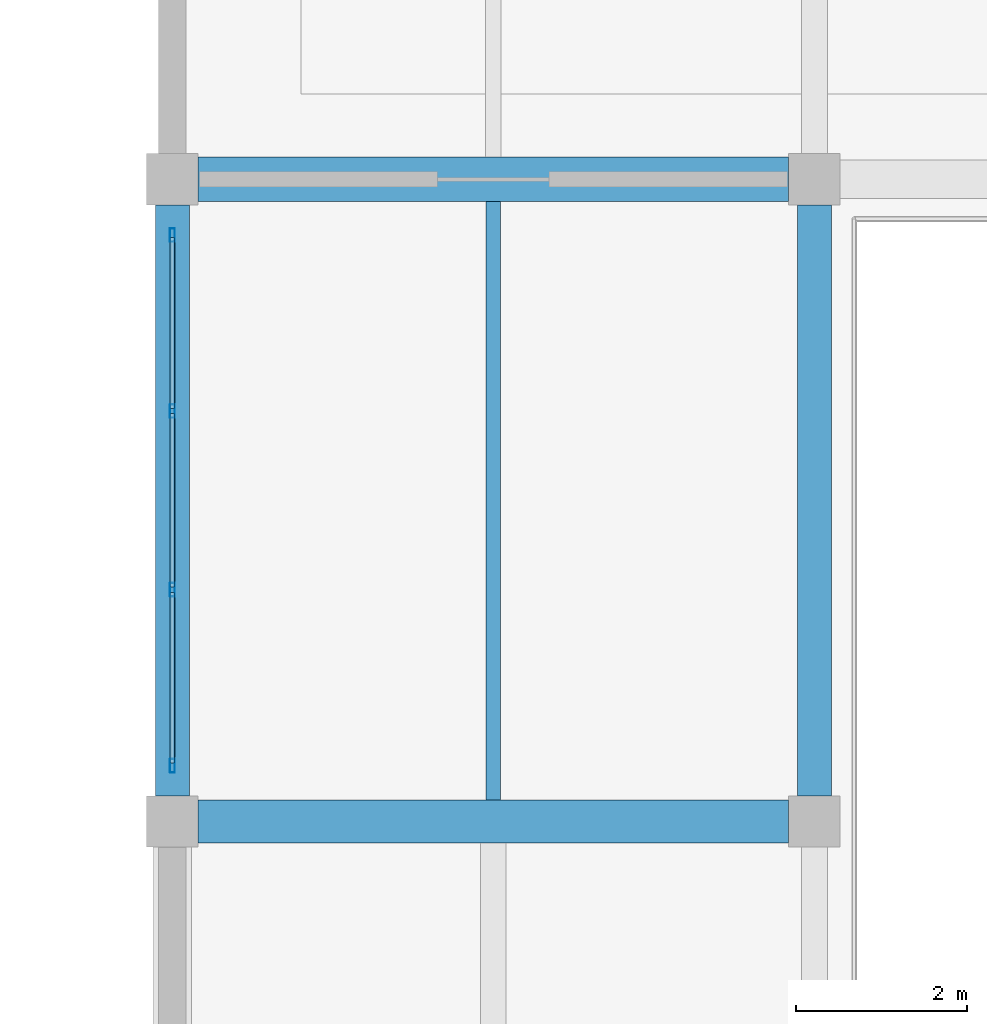
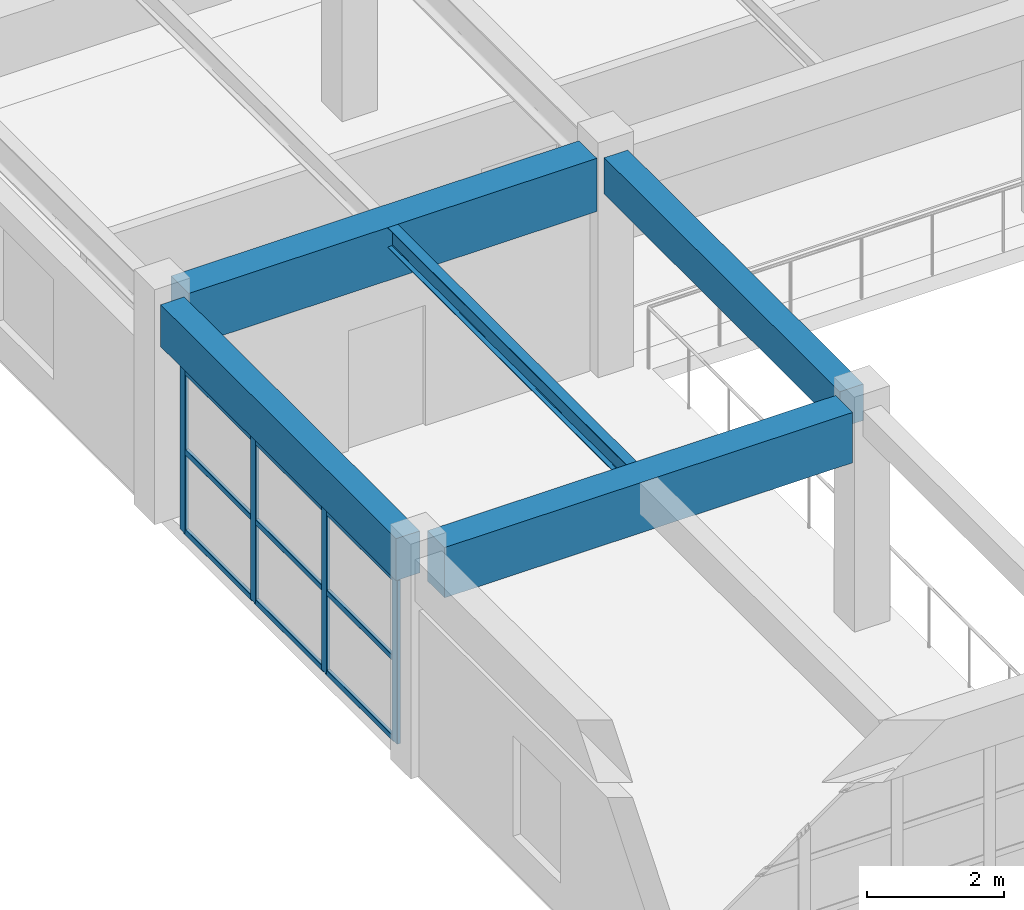
# One storey, part 55 of 124: 13 members, 5 beams, 1 element without a shape of its own.
"""IFC4 building model written with IfcOpenShell, lengths in metres."""

from ifc_helpers import new_model, si_unit, direction, frame, origin, origin_2d, place, context, subcontext, project, spatial, rectangle, hollow_rectangle, i_section, extrude, material, material_profile, profile_set, type_object, element, aggregate, save


model = new_model("IFC4")

# Units and contexts
model_context = context("Model", 3, precision=1e-05, world=origin(), true_north=direction((0.0, 1.0)))
body_context = subcontext(model_context, "Body", "Model", "MODEL_VIEW")
ifc_project = project(units=[si_unit("LENGTHUNIT", "METRE"), si_unit("AREAUNIT", "SQUARE_METRE"), si_unit("VOLUMEUNIT", "CUBIC_METRE"), si_unit("PLANEANGLEUNIT", "RADIAN"), si_unit("MASSUNIT", "GRAM", prefix="KILO")], contexts=[model_context])

# Site, building, storey
site_placement = place(None, origin())
site = spatial("IfcSite", under=ifc_project, at=site_placement, CompositionType="ELEMENT")
building_placement = place(site_placement, origin())
building = spatial("IfcBuilding", under=site, at=building_placement, Name="Qasida Concert Hall", CompositionType="ELEMENT")
storey_placement = place(building_placement, frame((0.0, 0.0, 9.0)))
storey = spatial("IfcBuildingStorey", under=building, at=storey_placement, Name="L02", CompositionType="ELEMENT", Elevation=9.0)

# Beams
ifc_material_1 = material(Name="Concrete C40/50", Category="concrete")
ifc_material_profile_1 = material_profile(ifc_material_1, rectangle(XDim=0.39990234375, YDim=0.64990234375, at=origin_2d()), Name="RC 400x650")
ifc_profile_set_1 = profile_set([ifc_material_profile_1], Name="Concrete C40/50")
beam_type_1 = type_object("IfcBeamType", Name="BM-B1", PredefinedType="BEAM", material=ifc_profile_set_1)
beam_1_placement = place(storey_placement, frame((127.5, 82.800048828125, 3.574951171875), z_axis=(0.0, 1.0, 0.0), x_axis=(-1.0, 0.0, 0.0)))
element("IfcBeam", 1, at=beam_1_placement, inside=storey, type_object=beam_type_1, Name="L02 girder 1389", PredefinedType="BEAM", context=body_context, shape_type="SweptSolid", body=[
    extrude(rectangle(XDim=0.39990234375, YDim=0.64990234375, at=origin_2d()), origin(), (0.0, 0.0, 1.0), 6.89990234375),
])
ifc_material_profile_2 = material_profile(ifc_material_1, rectangle(XDim=0.5, YDim=0.89990234375, at=origin_2d()), Name="RC 500x900")
ifc_profile_set_2 = profile_set([ifc_material_profile_2], Name="Concrete C40/50")
beam_type_2 = type_object("IfcBeamType", Name="BM-G1", PredefinedType="USERDEFINED", material=ifc_profile_set_2)
beam_2_placement = place(storey_placement, frame((120.300048828125, 82.5, 3.449951171875), z_axis=(1.0, 0.0, 0.0), x_axis=(0.0, 1.0, 0.0)))
element("IfcBeam", 2, at=beam_2_placement, inside=storey, type_object=beam_type_2, Name="Primary girder 1356", ObjectType="GIRDER", PredefinedType="USERDEFINED", context=body_context, shape_type="SweptSolid", body=[
    extrude(rectangle(XDim=0.5, YDim=0.89990234375, at=origin_2d()), origin(), (0.0, 0.0, 1.0), 6.89990234375),
])
ifc_material_profile_3 = material_profile(ifc_material_1, rectangle(XDim=0.52001953125, YDim=0.949951171875, at=origin_2d()), Name="RC 520x950")
ifc_profile_set_3 = profile_set([ifc_material_profile_3], Name="Concrete C40/50")
beam_type_3 = type_object("IfcBeamType", Name="BM-G7", PredefinedType="USERDEFINED", material=ifc_profile_set_3)
beam_3_placement = place(storey_placement, frame((120.300048828125, 90.0, 3.425048828125), z_axis=(1.0, 0.0, 0.0), x_axis=(0.0, 1.0, 0.0)))
element("IfcBeam", 3, at=beam_3_placement, inside=storey, type_object=beam_type_3, Name="Primary girder 1359", ObjectType="GIRDER", PredefinedType="USERDEFINED", context=body_context, shape_type="SweptSolid", body=[
    extrude(rectangle(XDim=0.52001953125, YDim=0.949951171875, at=origin_2d()), origin(), (0.0, 0.0, 1.0), 6.89990234375),
])
ifc_material_2 = material(Name="Steel S355J2", Category="steel")
ifc_material_profile_4 = material_profile(ifc_material_2, i_section(OverallWidth=0.169921875, OverallDepth=0.360107421875, WebThickness=0.008056640625, FlangeThickness=0.0126953125, FilletRadius=0.01806640625, at=origin_2d()), Name="IPE 360")
ifc_profile_set_4 = profile_set([ifc_material_profile_4], Name="Steel S355J2")
beam_type_4 = type_object("IfcBeamType", Name="BM-J2", PredefinedType="JOIST", material=ifc_profile_set_4)
beam_4_placement = place(storey_placement, frame((123.75, 82.75, 3.719970703125), z_axis=(0.0, 1.0, 0.0), x_axis=(-1.0, 0.0, 0.0)))
element("IfcBeam", 4, at=beam_4_placement, inside=storey, type_object=beam_type_4, Name="L02 secondary joist 1417", PredefinedType="JOIST", context=body_context, shape_type="SweptSolid", body=[
    extrude(i_section(OverallWidth=0.169921875, OverallDepth=0.360107421875, WebThickness=0.008056640625, FlangeThickness=0.0126953125, FilletRadius=0.01806640625, at=origin_2d()), origin(), (0.0, 0.0, 1.0), 6.989990234375),
])
ifc_material_profile_5 = material_profile(ifc_material_1, rectangle(XDim=0.39990234375, YDim=0.75, at=origin_2d()), Name="RC 400x750")
ifc_profile_set_5 = profile_set([ifc_material_profile_5], Name="Concrete C40/50")
beam_type_5 = type_object("IfcBeamType", Name="BM-SP1", PredefinedType="SPANDREL", material=ifc_profile_set_5)
beam_5_placement = place(storey_placement, frame((120.0, 82.800048828125, 3.52490234375), z_axis=(0.0, 1.0, 0.0), x_axis=(-1.0, 0.0, 0.0)))
element("IfcBeam", 5, at=beam_5_placement, inside=storey, type_object=beam_type_5, Name="L02 girder 1384", PredefinedType="SPANDREL", context=body_context, shape_type="SweptSolid", body=[
    extrude(rectangle(XDim=0.39990234375, YDim=0.75, at=origin_2d()), origin(), (0.0, 0.0, 1.0), 6.89990234375),
])

# Curtain wall, members
ifc_material_3 = material(Name="Architectural bronze-anodized aluminium and low-E glass", Category="aluminium")
curtain_wall_type = type_object("IfcCurtainWallType", Name="CW-09", PredefinedType="NOTDEFINED", material=ifc_material_3)
curtain_wall_placement = place(storey_placement, origin())
curtain_wall = element("IfcCurtainWall", 6, at=curtain_wall_placement, inside=storey, type_object=curtain_wall_type, Name="L02 curtain wall CW-09 0174", PredefinedType="NOTDEFINED")
ifc_material_4 = material(Name="Architectural bronze-anodized aluminium EN AW-6063", Category="aluminium")
ifc_material_profile_6 = material_profile(ifc_material_4, hollow_rectangle(XDim=0.06005859375, YDim=0.159912109375, WallThickness=0.00390625, InnerFilletRadius=0.00390625, OuterFilletRadius=0.008056640625, at=origin_2d()), Name="CWM 160x60x4")
ifc_profile_set_6 = profile_set([ifc_material_profile_6], Name="Architectural bronze-anodized aluminium EN AW-6063")
member_type_1 = type_object("IfcMemberType", Name="MB-CWM-3", PredefinedType="MULLION", material=ifc_profile_set_6)
member_1_placement = place(storey_placement, frame((120.0, 83.14990234375, 0.0), z_axis=(0.0, 0.0, 1.0), x_axis=(-1.0, 0.0, 0.0)))
member_1 = element("IfcMember", 7, at=member_1_placement, type_object=member_type_1, Name="CW-09 mullion 1", PredefinedType="MULLION", context=body_context, shape_type="SweptSolid", body=[
    extrude(hollow_rectangle(XDim=0.06005859375, YDim=0.159912109375, WallThickness=0.00390625, InnerFilletRadius=0.00390625, OuterFilletRadius=0.008056640625, at=origin_2d()), origin(), (0.0, 0.0, 1.0), 2.919921875),
])
member_2_placement = place(storey_placement, frame((120.0, 85.206787109375, 0.0), z_axis=(0.0, 0.0, 1.0), x_axis=(-1.0, 0.0, 0.0)))
member_2 = element("IfcMember", 8, at=member_2_placement, type_object=member_type_1, Name="CW-09 mullion 2", PredefinedType="MULLION", context=body_context, shape_type="SweptSolid", body=[
    extrude(hollow_rectangle(XDim=0.06005859375, YDim=0.159912109375, WallThickness=0.00390625, InnerFilletRadius=0.00390625, OuterFilletRadius=0.008056640625, at=origin_2d()), origin(), (0.0, 0.0, 1.0), 2.919921875),
])
member_3_placement = place(storey_placement, frame((120.0, 87.293212890625, 0.0), z_axis=(0.0, 0.0, 1.0), x_axis=(-1.0, 0.0, 0.0)))
member_3 = element("IfcMember", 9, at=member_3_placement, type_object=member_type_1, Name="CW-09 mullion 3", PredefinedType="MULLION", context=body_context, shape_type="SweptSolid", body=[
    extrude(hollow_rectangle(XDim=0.06005859375, YDim=0.159912109375, WallThickness=0.00390625, InnerFilletRadius=0.00390625, OuterFilletRadius=0.008056640625, at=origin_2d()), origin(), (0.0, 0.0, 1.0), 2.919921875),
])
member_4_placement = place(storey_placement, frame((120.0, 89.35009765625, 0.0), z_axis=(0.0, 0.0, 1.0), x_axis=(-1.0, 0.0, 0.0)))
member_4 = element("IfcMember", 10, at=member_4_placement, type_object=member_type_1, Name="CW-09 mullion 4", PredefinedType="MULLION", context=body_context, shape_type="SweptSolid", body=[
    extrude(hollow_rectangle(XDim=0.06005859375, YDim=0.159912109375, WallThickness=0.00390625, InnerFilletRadius=0.00390625, OuterFilletRadius=0.008056640625, at=origin_2d()), origin(), (0.0, 0.0, 1.0), 2.919921875),
])
ifc_material_profile_7 = material_profile(ifc_material_4, hollow_rectangle(XDim=0.06005859375, YDim=0.10009765625, WallThickness=0.00341796875, InnerFilletRadius=0.00341796875, OuterFilletRadius=0.007080078125, at=origin_2d()), Name="CWT 100x60x3.5")
ifc_profile_set_7 = profile_set([ifc_material_profile_7], Name="Architectural bronze-anodized aluminium EN AW-6063")
member_type_2 = type_object("IfcMemberType", Name="MB-CWT-3", PredefinedType="USERDEFINED", material=ifc_profile_set_7)
member_5_placement = place(storey_placement, frame((120.0, 83.179931640625, 0.030029296875), z_axis=(0.0, 1.0, 0.0), x_axis=(-1.0, 0.0, 0.0)))
member_5 = element("IfcMember", 11, at=member_5_placement, type_object=member_type_2, Name="CW-09 transom 1.1", ObjectType="TRANSOM", PredefinedType="USERDEFINED", context=body_context, shape_type="SweptSolid", body=[
    extrude(hollow_rectangle(XDim=0.06005859375, YDim=0.10009765625, WallThickness=0.00341796875, InnerFilletRadius=0.00341796875, OuterFilletRadius=0.007080078125, at=origin_2d()), origin(), (0.0, 0.0, 1.0), 1.996826171875),
])
member_6_placement = place(storey_placement, frame((120.0, 83.179931640625, 1.4599609375), z_axis=(0.0, 1.0, 0.0), x_axis=(-1.0, 0.0, 0.0)))
member_6 = element("IfcMember", 12, at=member_6_placement, type_object=member_type_2, Name="CW-09 transom 1.2", ObjectType="TRANSOM", PredefinedType="USERDEFINED", context=body_context, shape_type="SweptSolid", body=[
    extrude(hollow_rectangle(XDim=0.06005859375, YDim=0.10009765625, WallThickness=0.00341796875, InnerFilletRadius=0.00341796875, OuterFilletRadius=0.007080078125, at=origin_2d()), origin(), (0.0, 0.0, 1.0), 1.996826171875),
])
member_7_placement = place(storey_placement, frame((120.0, 83.179931640625, 2.889892578125), z_axis=(0.0, 1.0, 0.0), x_axis=(-1.0, 0.0, 0.0)))
member_7 = element("IfcMember", 13, at=member_7_placement, type_object=member_type_2, Name="CW-09 transom 1.3", ObjectType="TRANSOM", PredefinedType="USERDEFINED", context=body_context, shape_type="SweptSolid", body=[
    extrude(hollow_rectangle(XDim=0.06005859375, YDim=0.10009765625, WallThickness=0.00341796875, InnerFilletRadius=0.00341796875, OuterFilletRadius=0.007080078125, at=origin_2d()), origin(), (0.0, 0.0, 1.0), 1.996826171875),
])
member_8_placement = place(storey_placement, frame((120.0, 85.236572265625, 0.030029296875), z_axis=(0.0, 1.0, 0.0), x_axis=(-1.0, 0.0, 0.0)))
member_8 = element("IfcMember", 14, at=member_8_placement, type_object=member_type_2, Name="CW-09 transom 2.1", ObjectType="TRANSOM", PredefinedType="USERDEFINED", context=body_context, shape_type="SweptSolid", body=[
    extrude(hollow_rectangle(XDim=0.06005859375, YDim=0.10009765625, WallThickness=0.00341796875, InnerFilletRadius=0.00341796875, OuterFilletRadius=0.007080078125, at=origin_2d()), origin(), (0.0, 0.0, 1.0), 2.02685546875),
])
member_9_placement = place(storey_placement, frame((120.0, 85.236572265625, 1.4599609375), z_axis=(0.0, 1.0, 0.0), x_axis=(-1.0, 0.0, 0.0)))
member_9 = element("IfcMember", 15, at=member_9_placement, type_object=member_type_2, Name="CW-09 transom 2.2", ObjectType="TRANSOM", PredefinedType="USERDEFINED", context=body_context, shape_type="SweptSolid", body=[
    extrude(hollow_rectangle(XDim=0.06005859375, YDim=0.10009765625, WallThickness=0.00341796875, InnerFilletRadius=0.00341796875, OuterFilletRadius=0.007080078125, at=origin_2d()), origin(), (0.0, 0.0, 1.0), 2.02685546875),
])
member_10_placement = place(storey_placement, frame((120.0, 85.236572265625, 2.889892578125), z_axis=(0.0, 1.0, 0.0), x_axis=(-1.0, 0.0, 0.0)))
member_10 = element("IfcMember", 16, at=member_10_placement, type_object=member_type_2, Name="CW-09 transom 2.3", ObjectType="TRANSOM", PredefinedType="USERDEFINED", context=body_context, shape_type="SweptSolid", body=[
    extrude(hollow_rectangle(XDim=0.06005859375, YDim=0.10009765625, WallThickness=0.00341796875, InnerFilletRadius=0.00341796875, OuterFilletRadius=0.007080078125, at=origin_2d()), origin(), (0.0, 0.0, 1.0), 2.02685546875),
])
member_11_placement = place(storey_placement, frame((120.0, 87.3232421875, 0.030029296875), z_axis=(0.0, 1.0, 0.0), x_axis=(-1.0, 0.0, 0.0)))
member_11 = element("IfcMember", 17, at=member_11_placement, type_object=member_type_2, Name="CW-09 transom 3.1", ObjectType="TRANSOM", PredefinedType="USERDEFINED", context=body_context, shape_type="SweptSolid", body=[
    extrude(hollow_rectangle(XDim=0.06005859375, YDim=0.10009765625, WallThickness=0.00341796875, InnerFilletRadius=0.00341796875, OuterFilletRadius=0.007080078125, at=origin_2d()), origin(), (0.0, 0.0, 1.0), 1.996826171875),
])
member_12_placement = place(storey_placement, frame((120.0, 87.3232421875, 1.4599609375), z_axis=(0.0, 1.0, 0.0), x_axis=(-1.0, 0.0, 0.0)))
member_12 = element("IfcMember", 18, at=member_12_placement, type_object=member_type_2, Name="CW-09 transom 3.2", ObjectType="TRANSOM", PredefinedType="USERDEFINED", context=body_context, shape_type="SweptSolid", body=[
    extrude(hollow_rectangle(XDim=0.06005859375, YDim=0.10009765625, WallThickness=0.00341796875, InnerFilletRadius=0.00341796875, OuterFilletRadius=0.007080078125, at=origin_2d()), origin(), (0.0, 0.0, 1.0), 1.996826171875),
])
member_13_placement = place(storey_placement, frame((120.0, 87.3232421875, 2.889892578125), z_axis=(0.0, 1.0, 0.0), x_axis=(-1.0, 0.0, 0.0)))
member_13 = element("IfcMember", 19, at=member_13_placement, type_object=member_type_2, Name="CW-09 transom 3.3", ObjectType="TRANSOM", PredefinedType="USERDEFINED", context=body_context, shape_type="SweptSolid", body=[
    extrude(hollow_rectangle(XDim=0.06005859375, YDim=0.10009765625, WallThickness=0.00341796875, InnerFilletRadius=0.00341796875, OuterFilletRadius=0.007080078125, at=origin_2d()), origin(), (0.0, 0.0, 1.0), 1.996826171875),
])
aggregate(curtain_wall, [member_1, member_2, member_3, member_4, member_5, member_6, member_7, member_8, member_9, member_10, member_11, member_12, member_13])

save(model, "model.ifc")
